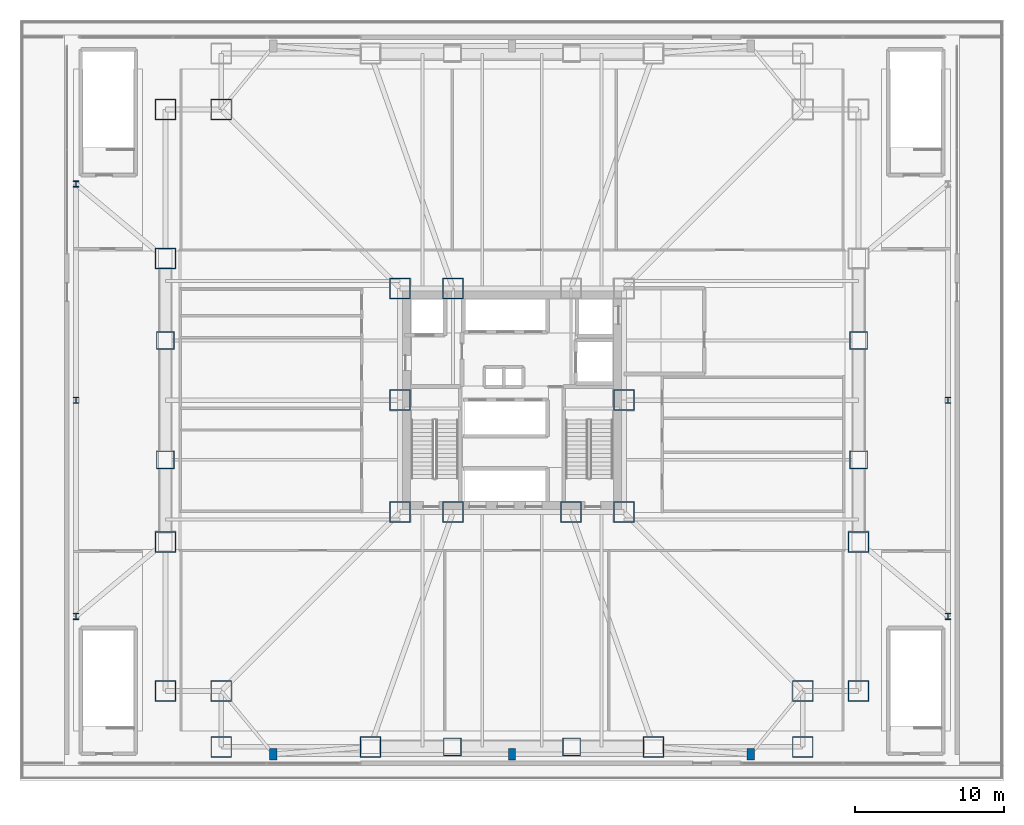
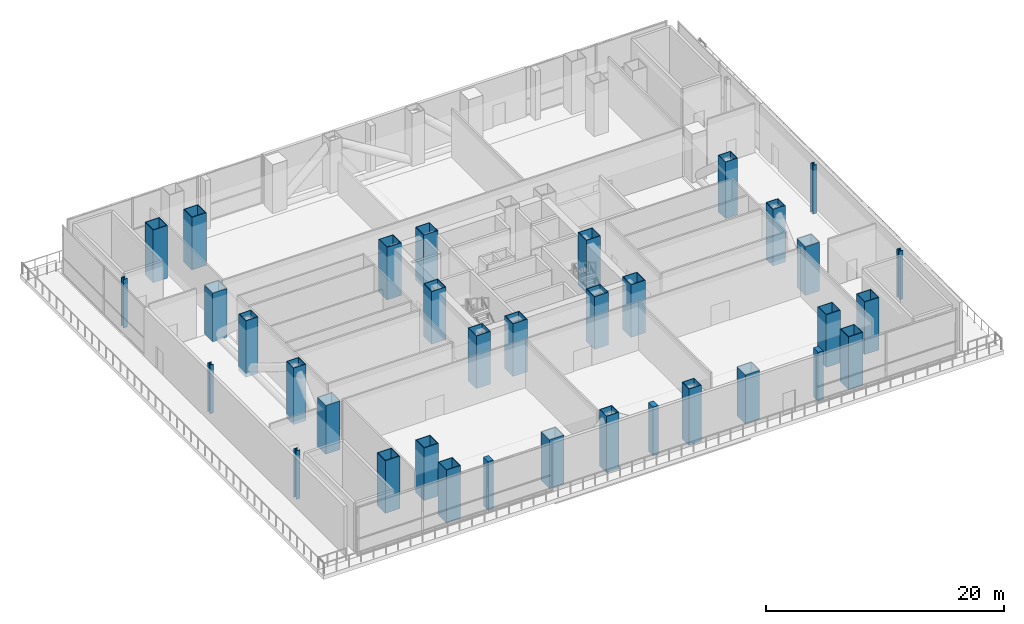
# One storey, part 1 of 21: 35 columns.
"""IFC4 building model written with IfcOpenShell, lengths in metres."""

from ifc_helpers import new_model, si_unit, direction, frame, origin, origin_2d, place, context, subcontext, project, spatial, rectangle, hollow_rectangle, i_section, extrude, material, material_profile, profile_set, type_object, element, save


model = new_model("IFC4")

# Units and contexts
model_context = context("Model", 3, precision=1e-05, world=origin(), true_north=direction((0.0, 1.0)))
body_context = subcontext(model_context, "Body", "Model", "MODEL_VIEW")
ifc_project = project(units=[si_unit("LENGTHUNIT", "METRE"), si_unit("AREAUNIT", "SQUARE_METRE"), si_unit("VOLUMEUNIT", "CUBIC_METRE"), si_unit("PLANEANGLEUNIT", "RADIAN"), si_unit("MASSUNIT", "GRAM", prefix="KILO")], contexts=[model_context])

# Site, building, storey
site_placement = place(None, origin())
site = spatial("IfcSite", under=ifc_project, at=site_placement, CompositionType="ELEMENT")
building_placement = place(site_placement, origin())
building = spatial("IfcBuilding", under=site, at=building_placement, Name="Trevonay Congress Spire", CompositionType="ELEMENT")
storey_placement = place(building_placement, frame((0.0, 0.0, 21.60009765625)))
storey = spatial("IfcBuildingStorey", under=building, at=storey_placement, Name="L04", CompositionType="ELEMENT", Elevation=21.60009765625)

# Columns
ifc_material_1 = material(Name="Steel ASTM A572 Grade 50", Category="steel")
ifc_material_profile_1 = material_profile(ifc_material_1, hollow_rectangle(XDim=1.199951171875, YDim=1.199951171875, WallThickness=0.054931640625, at=origin_2d()), Name="BOX 1200x1200x55")
ifc_profile_set_1 = profile_set([ifc_material_profile_1], Name="Steel ASTM A572 Grade 50")
column_type_1 = type_object("IfcColumnType", Name="COL-CORE-BOX1200", PredefinedType="COLUMN", material=ifc_profile_set_1)
for number, where, z_axis, x_axis, name in (
    (1, (-4.0, -23.25, -0.400146484375), (0.0, 0.0, 1.0), (1.0, 0.0, 0.0), "L04 column C02 at TP-S3"),
    (2, (4.0, -23.25, -0.400146484375), (0.0, 0.0, 1.0), (1.0, 0.0, 0.0), "L04 column C02 at TP-S4"),
    (3, (-23.25, -4.0, -0.400146484375), (0.0, 0.0, 1.0), (1.0, 0.0, 0.0), "L04 column C02 at TP-W3"),
    (4, (-23.25, 4.0, -0.400146484375), (0.0, 0.0, 1.0), (1.0, 0.0, 0.0), "L04 column C02 at TP-W4"),
    (5, (23.25, -4.0, -0.400146484375), (0.0, 0.0, 1.0), (1.0, 0.0, 0.0), "L04 column C02 at TP-E3"),
    (6, (23.25, 4.0, -0.400146484375), (0.0, 0.0, 1.0), (1.0, 0.0, 0.0), "L04 column C02 at TP-E4"),
):
    element("IfcColumn", number, at=place(storey_placement, frame(where, z_axis=z_axis, x_axis=x_axis)), inside=storey, type_object=column_type_1, Name=name, PredefinedType="COLUMN", context=body_context, shape_type="SweptSolid", body=[
        extrude(hollow_rectangle(XDim=1.199951171875, YDim=1.199951171875, WallThickness=0.054931640625, at=origin_2d()), origin(), (0.0, 0.0, 1.0), 5.800048828125),
    ])
ifc_material_profile_2 = material_profile(ifc_material_1, hollow_rectangle(XDim=1.39990234375, YDim=1.39990234375, WallThickness=0.06005859375, at=origin_2d()), Name="BOX 1400x1400x60")
ifc_profile_set_2 = profile_set([ifc_material_profile_2], Name="Steel ASTM A572 Grade 50")
column_type_2 = type_object("IfcColumnType", Name="COL-CORE-BOX1400", PredefinedType="COLUMN", material=ifc_profile_set_2)
for number, where, z_axis, x_axis, name in (
    (7, (-7.5, -7.5, 0.0), (0.0, 0.0, 1.0), (1.0, 0.0, 0.0), "L04 column C01 at CC-SW"),
    (8, (-3.949951171875, -7.5, 0.0), (0.0, 0.0, 1.0), (1.0, 0.0, 0.0), "L04 column C01 at CC-SMW"),
    (9, (3.949951171875, -7.5, 0.0), (0.0, 0.0, 1.0), (1.0, 0.0, 0.0), "L04 column C01 at CC-SME"),
    (10, (7.5, -7.5, 0.0), (0.0, 0.0, 1.0), (1.0, 0.0, 0.0), "L04 column C01 at CC-SE"),
    (11, (7.5, 0.0, 0.0), (0.0, 0.0, 1.0), (1.0, 0.0, 0.0), "L04 column C01 at CC-E"),
    (12, (-3.949951171875, 7.5, 0.0), (0.0, 0.0, 1.0), (1.0, 0.0, 0.0), "L04 column C01 at CC-NMW"),
    (13, (-7.5, 7.5, 0.0), (0.0, 0.0, 1.0), (1.0, 0.0, 0.0), "L04 column C01 at CC-NW"),
    (14, (-7.5, 0.0, 0.0), (0.0, 0.0, 1.0), (1.0, 0.0, 0.0), "L04 column C01 at CC-W"),
    (15, (-19.5, -23.25, 0.0), (0.0, 0.0, 1.0), (1.0, 0.0, 0.0), "L04 column C01 at TM-S1"),
):
    element("IfcColumn", number, at=place(storey_placement, frame(where, z_axis=z_axis, x_axis=x_axis)), inside=storey, type_object=column_type_2, Name=name, PredefinedType="COLUMN", context=body_context, shape_type="SweptSolid", body=[
        extrude(hollow_rectangle(XDim=1.39990234375, YDim=1.39990234375, WallThickness=0.06005859375, at=origin_2d()), origin(), (0.0, 0.0, 1.0), 5.39990234375),
    ])
for number, where, z_axis, x_axis, name in (
    (16, (-9.5, -23.25, 0.0), (0.0, 0.0, 1.0), (1.0, 0.0, 0.0), "L04 column C01 at TM-S2"),
    (17, (9.5, -23.25, 0.0), (0.0, 0.0, 1.0), (1.0, 0.0, 0.0), "L04 column C01 at TM-S5"),
):
    element("IfcColumn", number, at=place(storey_placement, frame(where, z_axis=z_axis, x_axis=x_axis)), inside=storey, type_object=column_type_2, Name=name, PredefinedType="COLUMN", context=body_context, shape_type="SweptSolid", body=[
        extrude(hollow_rectangle(XDim=1.39990234375, YDim=1.39990234375, WallThickness=0.06005859375, at=origin_2d()), origin(), (0.0, 0.0, 1.0), 5.0),
    ])
for number, where, z_axis, x_axis, name in (
    (18, (19.5, -23.25, 0.0), (0.0, 0.0, 1.0), (1.0, 0.0, 0.0), "L04 column C01 at TM-S6"),
    (19, (-23.25, -19.5, 0.0), (0.0, 0.0, 1.0), (1.0, 0.0, 0.0), "L04 column C01 at TM-W1"),
):
    element("IfcColumn", number, at=place(storey_placement, frame(where, z_axis=z_axis, x_axis=x_axis)), inside=storey, type_object=column_type_2, Name=name, PredefinedType="COLUMN", context=body_context, shape_type="SweptSolid", body=[
        extrude(hollow_rectangle(XDim=1.39990234375, YDim=1.39990234375, WallThickness=0.06005859375, at=origin_2d()), origin(), (0.0, 0.0, 1.0), 5.39990234375),
    ])
for number, where, z_axis, x_axis, name in (
    (20, (-23.25, -9.5, 0.0), (0.0, 0.0, 1.0), (1.0, 0.0, 0.0), "L04 column C01 at TM-W2"),
    (21, (-23.25, 9.5, 0.0), (0.0, 0.0, 1.0), (1.0, 0.0, 0.0), "L04 column C01 at TM-W5"),
):
    element("IfcColumn", number, at=place(storey_placement, frame(where, z_axis=z_axis, x_axis=x_axis)), inside=storey, type_object=column_type_2, Name=name, PredefinedType="COLUMN", context=body_context, shape_type="SweptSolid", body=[
        extrude(hollow_rectangle(XDim=1.39990234375, YDim=1.39990234375, WallThickness=0.06005859375, at=origin_2d()), origin(), (0.0, 0.0, 1.0), 5.0),
    ])
for number, where, z_axis, x_axis, name in (
    (22, (-23.25, 19.5, 0.0), (0.0, 0.0, 1.0), (1.0, 0.0, 0.0), "L04 column C01 at TM-W6"),
    (23, (23.25, -19.5, 0.0), (0.0, 0.0, 1.0), (1.0, 0.0, 0.0), "L04 column C01 at TM-E1"),
):
    element("IfcColumn", number, at=place(storey_placement, frame(where, z_axis=z_axis, x_axis=x_axis)), inside=storey, type_object=column_type_2, Name=name, PredefinedType="COLUMN", context=body_context, shape_type="SweptSolid", body=[
        extrude(hollow_rectangle(XDim=1.39990234375, YDim=1.39990234375, WallThickness=0.06005859375, at=origin_2d()), origin(), (0.0, 0.0, 1.0), 5.39990234375),
    ])
column_placement = place(storey_placement, frame((23.25, -9.5, 0.0), z_axis=(0.0, 0.0, 1.0), x_axis=(1.0, 0.0, 0.0)))
element("IfcColumn", 24, at=column_placement, inside=storey, type_object=column_type_2, Name="L04 column C01 at TM-E2", PredefinedType="COLUMN", context=body_context, shape_type="SweptSolid", body=[
    extrude(hollow_rectangle(XDim=1.39990234375, YDim=1.39990234375, WallThickness=0.06005859375, at=origin_2d()), origin(), (0.0, 0.0, 1.0), 5.0),
])
for number, where, z_axis, x_axis, name in (
    (25, (-19.5, -19.5, 0.0), (0.0, 0.0, 1.0), (1.0, 0.0, 0.0), "L04 column C01 at TM-CSW"),
    (26, (19.5, -19.5, 0.0), (0.0, 0.0, 1.0), (1.0, 0.0, 0.0), "L04 column C01 at TM-CSE"),
    (27, (-19.5, 19.5, 0.0), (0.0, 0.0, 1.0), (1.0, 0.0, 0.0), "L04 column C01 at TM-CNW"),
):
    element("IfcColumn", number, at=place(storey_placement, frame(where, z_axis=z_axis, x_axis=x_axis)), inside=storey, type_object=column_type_2, Name=name, PredefinedType="COLUMN", context=body_context, shape_type="SweptSolid", body=[
        extrude(hollow_rectangle(XDim=1.39990234375, YDim=1.39990234375, WallThickness=0.06005859375, at=origin_2d()), origin(), (0.0, 0.0, 1.0), 5.39990234375),
    ])
ifc_material_2 = material(Name="Concrete C60/75", Category="concrete")
ifc_material_profile_3 = material_profile(ifc_material_2, rectangle(XDim=0.5, YDim=0.800048828125, at=origin_2d()), Name="RC 800x500")
ifc_profile_set_3 = profile_set([ifc_material_profile_3], Name="Concrete C60/75")
column_type_3 = type_object("IfcColumnType", Name="COL-PIL-RC800X500", PredefinedType="PILASTER", material=ifc_profile_set_3)
for number, where, z_axis, x_axis, name in (
    (28, (-16.0, -23.75, 0.0), (0.0, 0.0, 1.0), (1.0, 0.0, 0.0), "L04 column C13 at PS-1"),
    (29, (0.0, -23.75, 0.0), (0.0, 0.0, 1.0), (1.0, 0.0, 0.0), "L04 column C13 at PS-2"),
    (30, (16.0, -23.75, 0.0), (0.0, 0.0, 1.0), (1.0, 0.0, 0.0), "L04 column C13 at PS-3"),
):
    element("IfcColumn", number, at=place(storey_placement, frame(where, z_axis=z_axis, x_axis=x_axis)), inside=storey, type_object=column_type_3, Name=name, PredefinedType="PILASTER", context=body_context, shape_type="SweptSolid", body=[
        extrude(rectangle(XDim=0.5, YDim=0.800048828125, at=origin_2d()), origin(), (0.0, 0.0, 1.0), 5.0),
    ])
ifc_material_profile_4 = material_profile(ifc_material_1, i_section(OverallWidth=0.367919921875, OverallDepth=0.425048828125, WebThickness=0.02978515625, FlangeThickness=0.047607421875, FilletRadius=0.02001953125, at=origin_2d()), Name="W360x421")
ifc_profile_set_4 = profile_set([ifc_material_profile_4], Name="Steel ASTM A572 Grade 50")
column_type_4 = type_object("IfcColumnType", Name="COL-POD-W360X421", PredefinedType="COLUMN", material=ifc_profile_set_4)
for number, where, z_axis, x_axis, name in (
    (31, (-29.25, -14.5, 0.0), (0.0, 0.0, 1.0), (1.0, 0.0, 0.0), "L04 column C08 at PW-1"),
    (32, (-29.25, 0.0, 0.0), (0.0, 0.0, 1.0), (1.0, 0.0, 0.0), "L04 column C08 at PW-2"),
    (33, (-29.25, 14.5, 0.0), (0.0, 0.0, 1.0), (1.0, 0.0, 0.0), "L04 column C08 at PW-3"),
    (34, (29.25, -14.5, 0.0), (0.0, 0.0, 1.0), (1.0, 0.0, 0.0), "L04 column C08 at PE-1"),
    (35, (29.25, 0.0, 0.0), (0.0, 0.0, 1.0), (1.0, 0.0, 0.0), "L04 column C08 at PE-2"),
):
    element("IfcColumn", number, at=place(storey_placement, frame(where, z_axis=z_axis, x_axis=x_axis)), inside=storey, type_object=column_type_4, Name=name, PredefinedType="COLUMN", context=body_context, shape_type="SweptSolid", body=[
        extrude(i_section(OverallWidth=0.367919921875, OverallDepth=0.425048828125, WebThickness=0.02978515625, FlangeThickness=0.047607421875, FilletRadius=0.02001953125, at=origin_2d()), origin(), (0.0, 0.0, 1.0), 5.0),
    ])

save(model, "model.ifc")
